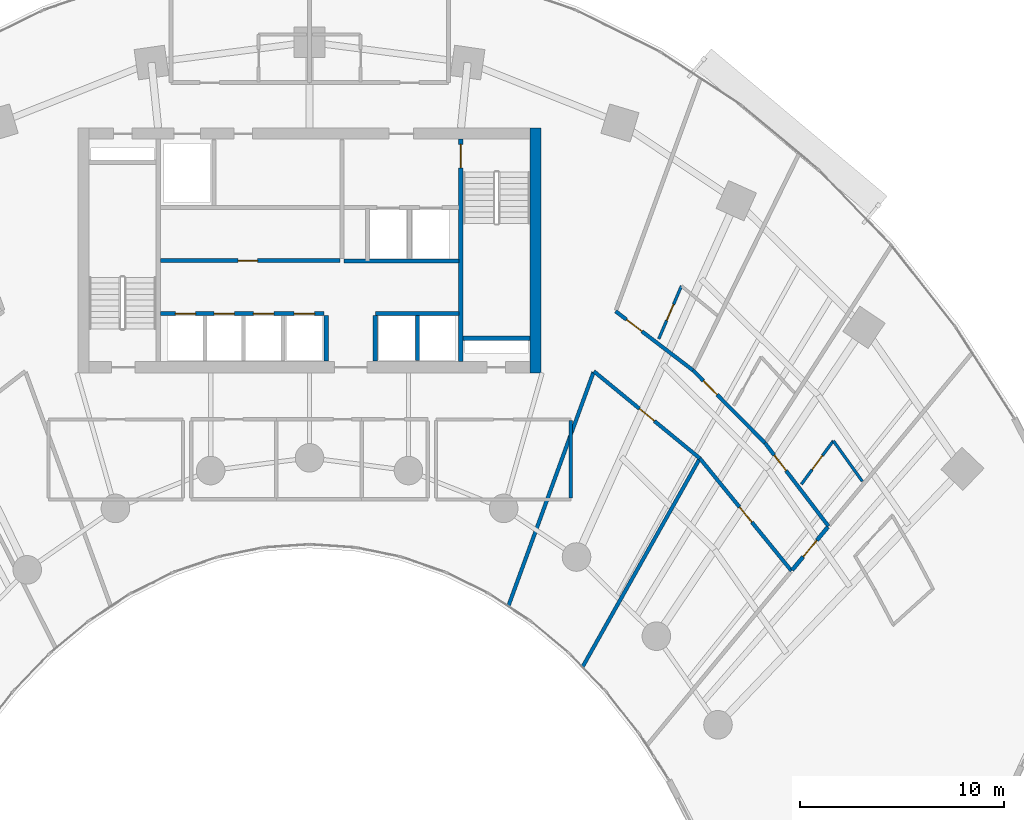
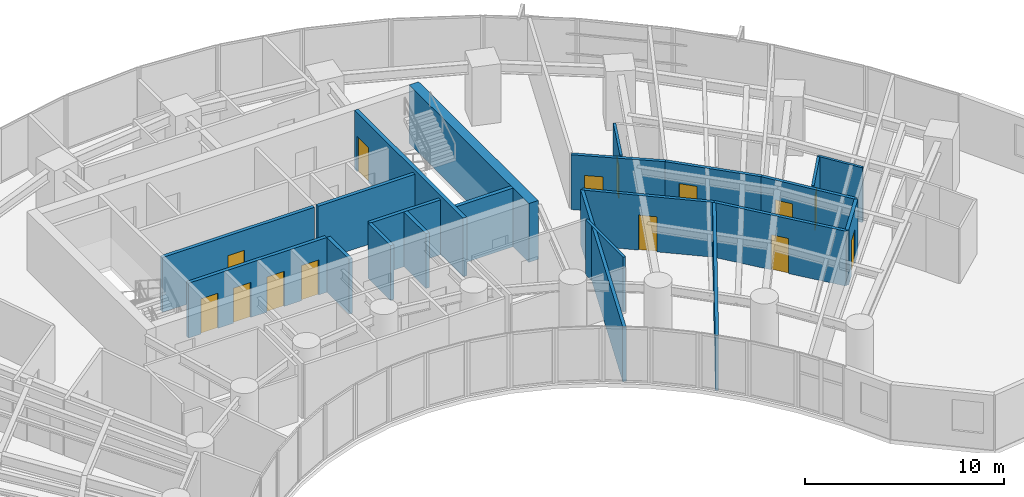
# One storey, part 12 of 17: 22 walls, 14 doors, 14 openings.
"""IFC4 building model written with IfcOpenShell, lengths in metres."""

from ifc_helpers import new_model, si_unit, direction, frame, frame_2d, origin, place, context, subcontext, project, spatial, rectangle, extrude, source, transform, mapped, material, layer, layer_set, type_object, type_shapes, element, fill, save


model = new_model("IFC4")

# Units and contexts
model_context = context("Model", 3, precision=1e-05, world=origin(), true_north=direction((0.0, 1.0)))
body_context = subcontext(model_context, "Body", "Model", "MODEL_VIEW")
ifc_project = project(units=[si_unit("LENGTHUNIT", "METRE"), si_unit("AREAUNIT", "SQUARE_METRE"), si_unit("VOLUMEUNIT", "CUBIC_METRE"), si_unit("PLANEANGLEUNIT", "RADIAN"), si_unit("MASSUNIT", "GRAM", prefix="KILO")], contexts=[model_context])

# Site, building, storey
site_placement = place(None, origin())
site = spatial("IfcSite", under=ifc_project, at=site_placement, CompositionType="ELEMENT")
building_placement = place(site_placement, origin())
building = spatial("IfcBuilding", under=site, at=building_placement, Name="Breltana Convention Tower", CompositionType="ELEMENT")
storey_placement = place(building_placement, frame((0.0, 0.0, 64.199951171875)))
storey = spatial("IfcBuildingStorey", under=building, at=storey_placement, Name="L14", CompositionType="ELEMENT", Elevation=64.199951171875)

# Walls
ifc_material_1 = material(Name="Concrete C60/75", Category="concrete")
ifc_layer_1 = layer(ifc_material_1, 0.550048828125, Name="Concrete C60/75")
ifc_layer_set_1 = layer_set([ifc_layer_1], Name="Concrete C60/75")
wall_type_1 = type_object("IfcWallType", Name="SW-CORE-550", PredefinedType="SHEAR", material=ifc_layer_set_1)
shared_shape_1 = source(origin(), body_context, "Body", "SweptSolid", [
    extrude(rectangle(XDim=12.0, YDim=0.550048828125, at=frame_2d((6.0, 0.0))), origin(), (0.0, 0.0, 1.0), 3.60009765625),
])
wall_1_placement = place(storey_placement, frame((59.074951171875, 60.199951171875, 0.0), z_axis=(0.0, 0.0, 1.0), x_axis=(0.0, 1.0, 0.0)))
element("IfcWall", 1, at=wall_1_placement, inside=storey, type_object=wall_type_1, Name="L14 East Core Shear Wall", PredefinedType="SHEAR", context=body_context, shape_type="MappedRepresentation", body=[
    mapped(shared_shape_1, transform((0.0, 0.0, 0.0), scale=1.0)),
])
ifc_material_2 = material(Name="Concrete C50/60", Category="concrete")
ifc_layer_2 = layer(ifc_material_2, 0.39990234375, Name="Concrete C50/60")
ifc_layer_set_2 = layer_set([ifc_layer_2], Name="Concrete C50/60")
wall_type_2 = type_object("IfcWallType", Name="SW-CORE-400", PredefinedType="SHEAR", material=ifc_layer_set_2)
shared_shape_2 = source(origin(), body_context, "Body", "SweptSolid", [
    extrude(rectangle(XDim=3.27001953125, YDim=0.219970703125, at=frame_2d((1.635009765625, 0.0))), origin(), (0.0, 0.0, 1.0), 3.60009765625),
])
wall_2_placement = place(storey_placement, frame((55.530029296875, 61.889892578125, 0.0), z_axis=(0.0, 0.0, 1.0), x_axis=(1.0, 0.0, 0.0)))
element("IfcWall", 2, at=wall_2_placement, inside=storey, type_object=wall_type_2, Name="L14 ST-2 Stairwell South Bearing Wall", PredefinedType="SHEAR", context=body_context, shape_type="MappedRepresentation", body=[
    mapped(shared_shape_2, transform((0.0, 0.0, 0.0), scale=1.0)),
])

# Wall, opening, door
shared_shape_3 = source(origin(), body_context, "Body", "SweptSolid", [
    extrude(rectangle(XDim=10.89990234375, YDim=0.219970703125, at=frame_2d((5.449951171875, 0.0))), origin(), (0.0, 0.0, 1.0), 3.60009765625),
])
wall_3_placement = place(storey_placement, frame((55.419921875, 60.75, 0.0), z_axis=(0.0, 0.0, 1.0), x_axis=(0.0, 1.0, 0.0)))
wall_3 = element("IfcWall", 3, at=wall_3_placement, inside=storey, type_object=wall_type_2, Name="L14 Core East Stair Spine Wall", PredefinedType="SHEAR", context=body_context, shape_type="MappedRepresentation", body=[
    mapped(shared_shape_3, transform((0.0, 0.0, 0.0), scale=1.0)),
])
opening_1_placement = place(wall_3_placement, frame((9.4951171875, 0.0, 0.0)))
opening_1 = element("IfcOpeningElement", 4, at=opening_1_placement, cuts=wall_3, Name="Opening D-11", PredefinedType="OPENING", context=body_context, shape_type="SweptSolid", body=[
    extrude(rectangle(XDim=1.14990234375, YDim=2.14990234375, at=frame_2d((0.574951171875, 1.074951171875))), frame((0.0, 0.1201171875, 0.0), z_axis=(0.0, -1.0, 0.0), x_axis=(1.0, 0.0, 0.0)), (0.0, 0.0, 1.0), 0.239990234375),
])
ifc_material_3 = material(Name="Steel Stair Exit Door", Category="steel")
door_type_1 = type_object("IfcDoorType", Name="DR-FD120-1150", OperationType="NOTDEFINED", PredefinedType="DOOR", material=ifc_material_3)
shared_shape_4 = source(origin(), body_context, "Body", "SweptSolid", [
    extrude(rectangle(XDim=1.14990234375, YDim=2.14990234375, at=frame_2d((0.574951171875, 1.074951171875))), frame((0.0, 0.02490234375, 0.0), z_axis=(0.0, -1.0, 0.0), x_axis=(1.0, 0.0, 0.0)), (0.0, 0.0, 1.0), 0.050048828125),
])
type_shapes(door_type_1, [shared_shape_4])
door_1_placement = place(opening_1_placement, origin())
door_1 = element("IfcDoor", 5, at=door_1_placement, inside=storey, type_object=door_type_1, Name="L14 interior door D-L14-ST2", OperationType="SINGLE_SWING_LEFT", OverallHeight=2.14990234375, OverallWidth=1.14990234375, PredefinedType="DOOR", context=body_context, shape_type="MappedRepresentation", body=[
    mapped(shared_shape_4, transform((0.0, 0.0, 0.0), scale=1.0)),
])
fill(opening_1, door_1)

# Walls
ifc_material_4 = material(Name="Autoclaved Aerated Concrete Block", Category="concrete")
ifc_layer_3 = layer(ifc_material_4, 0.199951171875, Name="Autoclaved Aerated Concrete Block")
ifc_layer_set_3 = layer_set([ifc_layer_3], Name="Autoclaved Aerated Concrete Block")
wall_type_3 = type_object("IfcWallType", Name="WL-SHAFT-200", PredefinedType="SOLIDWALL", material=ifc_layer_set_3)
shared_shape_5 = source(origin(), body_context, "Body", "SweptSolid", [
    extrude(rectangle(XDim=2.239990234375, YDim=0.199951171875, at=frame_2d((1.1201171875, 0.0))), origin(), (0.0, 0.0, 1.0), 3.360107421875),
])
for number, where, z_axis, x_axis, name in (
    (6, (48.820068359375, 60.780029296875, 0.0), (0.0, 0.0, 1.0), (0.0, 1.0, 0.0), "L14 interior partition W-L14-PORT-W"),
    (7, (51.219970703125, 60.780029296875, 0.0), (0.0, 0.0, 1.0), (0.0, 1.0, 0.0), "L14 interior partition W-L14-PORT-E"),
):
    element("IfcWall", number, at=place(storey_placement, frame(where, z_axis=z_axis, x_axis=x_axis)), inside=storey, type_object=wall_type_3, Name=name, PredefinedType="SOLIDWALL", context=body_context, shape_type="MappedRepresentation", body=[
        mapped(shared_shape_5, transform((0.0, 0.0, 0.0), scale=1.0)),
    ])
shared_shape_6 = source(origin(), body_context, "Body", "SweptSolid", [
    extrude(rectangle(XDim=5.6201171875, YDim=0.199951171875, at=frame_2d((2.81005859375, 0.0))), origin(), (0.0, 0.0, 1.0), 3.360107421875),
])
wall_4_placement = place(storey_placement, frame((49.699951171875, 65.679931640625, 0.0), z_axis=(0.0, 0.0, 1.0), x_axis=(1.0, 0.0, 0.0)))
element("IfcWall", 8, at=wall_4_placement, inside=storey, type_object=wall_type_3, Name="L14 interior partition W-L14-FL-S", PredefinedType="SOLIDWALL", context=body_context, shape_type="MappedRepresentation", body=[
    mapped(shared_shape_6, transform((0.0, 0.0, 0.0), scale=1.0)),
])

# Wall, opening, door
shared_shape_7 = source(origin(), body_context, "Body", "SweptSolid", [
    extrude(rectangle(XDim=8.800048828125, YDim=0.199951171875, at=frame_2d((4.39990234375, 0.0))), origin(), (0.0, 0.0, 1.0), 3.360107421875),
])
wall_5_placement = place(storey_placement, frame((40.699951171875, 65.699951171875, 0.0), z_axis=(0.0, 0.0, 1.0), x_axis=(1.0, 0.0, 0.0)))
wall_5 = element("IfcWall", 9, at=wall_5_placement, inside=storey, type_object=wall_type_3, Name="L14 interior partition W-L14-SH-M-FRONT", PredefinedType="SOLIDWALL", context=body_context, shape_type="MappedRepresentation", body=[
    mapped(shared_shape_7, transform((0.0, 0.0, 0.0), scale=1.0)),
])
opening_2_placement = place(wall_5_placement, frame((3.800048828125, 0.0, 0.0)))
opening_2 = element("IfcOpeningElement", 10, at=opening_2_placement, cuts=wall_5, Name="Opening D-14", PredefinedType="OPENING", context=body_context, shape_type="SweptSolid", body=[
    extrude(rectangle(XDim=0.949951171875, YDim=2.14990234375, at=frame_2d((0.47509765625, 1.074951171875))), frame((0.0, 0.10986328125, 0.0), z_axis=(0.0, -1.0, 0.0), x_axis=(1.0, 0.0, 0.0)), (0.0, 0.0, 1.0), 0.219970703125),
])
ifc_material_5 = material(Name="Timber Solid-Core Fire Door", Category="wood")
door_type_2 = type_object("IfcDoorType", Name="DR-FD60-950", OperationType="NOTDEFINED", PredefinedType="DOOR", material=ifc_material_5)
shared_shape_8 = source(origin(), body_context, "Body", "SweptSolid", [
    extrude(rectangle(XDim=0.949951171875, YDim=2.14990234375, at=frame_2d((0.47509765625, 1.074951171875))), frame((0.0, 0.02490234375, 0.0), z_axis=(0.0, -1.0, 0.0), x_axis=(1.0, 0.0, 0.0)), (0.0, 0.0, 1.0), 0.050048828125),
])
type_shapes(door_type_2, [shared_shape_8])
door_2_placement = place(opening_2_placement, origin())
door_2 = element("IfcDoor", 11, at=door_2_placement, inside=storey, type_object=door_type_2, Name="L14 interior door D-L14-LV7-B2A", OperationType="SINGLE_SWING_LEFT", OverallHeight=2.14990234375, OverallWidth=0.949951171875, PredefinedType="DOOR", context=body_context, shape_type="MappedRepresentation", body=[
    mapped(shared_shape_8, transform((0.0, 0.0, 0.0), scale=1.0)),
])
fill(opening_2, door_2)

# Wall, openings, doors
shared_shape_9 = source(origin(), body_context, "Body", "SweptSolid", [
    extrude(rectangle(XDim=8.02001953125, YDim=0.199951171875, at=frame_2d((4.010009765625, 0.0))), origin(), (0.0, 0.0, 1.0), 3.360107421875),
])
wall_6_placement = place(storey_placement, frame((40.699951171875, 63.10009765625, 0.0), z_axis=(0.0, 0.0, 1.0), x_axis=(1.0, 0.0, 0.0)))
wall_6 = element("IfcWall", 12, at=wall_6_placement, inside=storey, type_object=wall_type_3, Name="L14 interior partition W-L14-SH-S-FRONT", PredefinedType="SOLIDWALL", context=body_context, shape_type="MappedRepresentation", body=[
    mapped(shared_shape_9, transform((0.0, 0.0, 0.0), scale=1.0)),
])
opening_3_placement = place(wall_6_placement, frame((0.719970703125, 0.0, 0.0)))
opening_3 = element("IfcOpeningElement", 13, at=opening_3_placement, cuts=wall_6, Name="Opening LD-04", PredefinedType="OPENING", context=body_context, shape_type="SweptSolid", body=[
    extrude(rectangle(XDim=1.0, YDim=2.14990234375, at=frame_2d((0.5, 1.074951171875))), frame((0.0, 0.10986328125, 0.0), z_axis=(0.0, -1.0, 0.0), x_axis=(1.0, 0.0, 0.0)), (0.0, 0.0, 1.0), 0.219970703125),
])
opening_4_placement = place(wall_6_placement, frame((2.6201171875, 0.0, 0.0)))
opening_4 = element("IfcOpeningElement", 14, at=opening_4_placement, cuts=wall_6, Name="Opening LD-04", PredefinedType="OPENING", context=body_context, shape_type="SweptSolid", body=[
    extrude(rectangle(XDim=1.0, YDim=2.14990234375, at=frame_2d((0.5, 1.074951171875))), frame((0.0, 0.10986328125, 0.0), z_axis=(0.0, -1.0, 0.0), x_axis=(1.0, 0.0, 0.0)), (0.0, 0.0, 1.0), 0.219970703125),
])
opening_5_placement = place(wall_6_placement, frame((4.550048828125, 0.0, 0.0)))
opening_5 = element("IfcOpeningElement", 15, at=opening_5_placement, cuts=wall_6, Name="Opening LD-04", PredefinedType="OPENING", context=body_context, shape_type="SweptSolid", body=[
    extrude(rectangle(XDim=1.0, YDim=2.14990234375, at=frame_2d((0.5, 1.074951171875))), frame((0.0, 0.10986328125, 0.0), z_axis=(0.0, -1.0, 0.0), x_axis=(1.0, 0.0, 0.0)), (0.0, 0.0, 1.0), 0.219970703125),
])
opening_6_placement = place(wall_6_placement, frame((6.550048828125, 0.0, 0.0)))
opening_6 = element("IfcOpeningElement", 16, at=opening_6_placement, cuts=wall_6, Name="Opening LD-04", PredefinedType="OPENING", context=body_context, shape_type="SweptSolid", body=[
    extrude(rectangle(XDim=1.0, YDim=2.14990234375, at=frame_2d((0.5, 1.074951171875))), frame((0.0, 0.10986328125, 0.0), z_axis=(0.0, -1.0, 0.0), x_axis=(1.0, 0.0, 0.0)), (0.0, 0.0, 1.0), 0.219970703125),
])
ifc_material_6 = material(Name="Stainless Steel Brushed", Category="steel")
door_type_3 = type_object("IfcDoorType", Name="DR-LD-PAX-1000", OperationType="DOUBLE_DOOR_SLIDING", PredefinedType="DOOR", material=ifc_material_6)
shared_shape_10 = source(origin(), body_context, "Body", "SweptSolid", [
    extrude(rectangle(XDim=1.0, YDim=2.14990234375, at=frame_2d((0.5, 1.074951171875))), frame((0.0, 0.02490234375, 0.0), z_axis=(0.0, -1.0, 0.0), x_axis=(1.0, 0.0, 0.0)), (0.0, 0.0, 1.0), 0.050048828125),
])
type_shapes(door_type_3, [shared_shape_10])
door_3_placement = place(opening_3_placement, origin())
door_3 = element("IfcDoor", 17, at=door_3_placement, inside=storey, type_object=door_type_3, Name="L14 Lift Landing Door D-L14-LD-S1", OperationType="DOUBLE_DOOR_SLIDING", OverallHeight=2.14990234375, OverallWidth=1.0, PredefinedType="DOOR", context=body_context, shape_type="MappedRepresentation", body=[
    mapped(shared_shape_10, transform((0.0, 0.0, 0.0), scale=1.0)),
])
fill(opening_3, door_3)
door_4_placement = place(opening_4_placement, origin())
door_4 = element("IfcDoor", 18, at=door_4_placement, inside=storey, type_object=door_type_3, Name="L14 Lift Landing Door D-L14-LD-S2", OperationType="DOUBLE_DOOR_SLIDING", OverallHeight=2.14990234375, OverallWidth=1.0, PredefinedType="DOOR", context=body_context, shape_type="MappedRepresentation", body=[
    mapped(shared_shape_10, transform((0.0, 0.0, 0.0), scale=1.0)),
])
fill(opening_4, door_4)
door_5_placement = place(opening_5_placement, origin())
door_5 = element("IfcDoor", 19, at=door_5_placement, inside=storey, type_object=door_type_3, Name="L14 Lift Landing Door D-L14-LD-S3", OperationType="DOUBLE_DOOR_SLIDING", OverallHeight=2.14990234375, OverallWidth=1.0, PredefinedType="DOOR", context=body_context, shape_type="MappedRepresentation", body=[
    mapped(shared_shape_10, transform((0.0, 0.0, 0.0), scale=1.0)),
])
fill(opening_5, door_5)
door_6_placement = place(opening_6_placement, origin())
door_6 = element("IfcDoor", 20, at=door_6_placement, inside=storey, type_object=door_type_3, Name="L14 Lift Landing Door D-L14-LD-S4", OperationType="DOUBLE_DOOR_SLIDING", OverallHeight=2.14990234375, OverallWidth=1.0, PredefinedType="DOOR", context=body_context, shape_type="MappedRepresentation", body=[
    mapped(shared_shape_10, transform((0.0, 0.0, 0.0), scale=1.0)),
])
fill(opening_6, door_6)

# Walls
shared_shape_11 = source(origin(), body_context, "Body", "SweptSolid", [
    extrude(rectangle(XDim=4.10009765625, YDim=0.199951171875, at=frame_2d((2.050048828125, 0.0))), origin(), (0.0, 0.0, 1.0), 3.360107421875),
])
wall_7_placement = place(storey_placement, frame((51.219970703125, 63.10009765625, 0.0), z_axis=(0.0, 0.0, 1.0), x_axis=(1.0, 0.0, 0.0)))
element("IfcWall", 21, at=wall_7_placement, inside=storey, type_object=wall_type_3, Name="L14 interior partition W-L14-SH-X-FRONT", PredefinedType="SOLIDWALL", context=body_context, shape_type="MappedRepresentation", body=[
    mapped(shared_shape_11, transform((0.0, 0.0, 0.0), scale=1.0)),
])
shared_shape_12 = source(origin(), body_context, "Body", "SweptSolid", [
    extrude(rectangle(XDim=2.199951171875, YDim=0.199951171875, at=frame_2d((1.10009765625, 0.0))), origin(), (0.0, 0.0, 1.0), 3.360107421875),
])
wall_8_placement = place(storey_placement, frame((53.280029296875, 60.800048828125, 0.0), z_axis=(0.0, 0.0, 1.0), x_axis=(0.0, 1.0, 0.0)))
element("IfcWall", 22, at=wall_8_placement, inside=storey, type_object=wall_type_3, Name="L14 interior partition W-L14-SH-X-DIV", PredefinedType="SOLIDWALL", context=body_context, shape_type="MappedRepresentation", body=[
    mapped(shared_shape_12, transform((0.0, 0.0, 0.0), scale=1.0)),
])
ifc_material_7 = material(Name="Gypsum Acoustic Drywall Partition")
ifc_layer_4 = layer(ifc_material_7, 0.14990234375, Name="Gypsum Acoustic Drywall Partition")
ifc_layer_set_4 = layer_set([ifc_layer_4], Name="Gypsum Acoustic Drywall Partition")
wall_type_4 = type_object("IfcWallType", Name="WL-PART-150", PredefinedType="PARTITIONING", material=ifc_layer_set_4)
shared_shape_13 = source(origin(), body_context, "Body", "SweptSolid", [
    extrude(rectangle(XDim=3.78515625, YDim=0.14990234375, at=frame_2d((1.892578125, 0.0))), origin(), (0.0, 0.0, 1.0), 3.360107421875),
])
wall_9_placement = place(storey_placement, frame((60.800048828125, 54.0673828125, 0.0), z_axis=(0.0, 0.0, 1.0), x_axis=(0.0, 1.0, 0.0)))
element("IfcWall", 23, at=wall_9_placement, inside=storey, type_object=wall_type_4, Name="L14 interior partition W-L14-HMT-E", PredefinedType="PARTITIONING", context=body_context, shape_type="MappedRepresentation", body=[
    mapped(shared_shape_13, transform((0.0, 0.0, 0.0), scale=1.0)),
])

# Wall, opening, door
ifc_material_8 = material(Name="Gypsum Acoustic Hotel Wall")
ifc_layer_5 = layer(ifc_material_8, 0.195068359375, Name="Gypsum Acoustic Hotel Wall")
ifc_layer_set_5 = layer_set([ifc_layer_5], Name="Gypsum Acoustic Hotel Wall")
wall_type_5 = type_object("IfcWallType", Name="WL-HOTEL-200", PredefinedType="PARTITIONING", material=ifc_layer_set_5)
shared_shape_14 = source(origin(), body_context, "Body", "SweptSolid", [
    extrude(rectangle(XDim=2.748291015625, YDim=0.195068359375, at=frame_2d((1.3740234375, 0.0))), origin(), (0.0, 0.0, 1.0), 3.360107421875),
])
wall_10_placement = place(storey_placement, frame((71.64697265625, 50.531005859375, 0.0), z_axis=(0.0, 0.0, 1.0), x_axis=(0.638111168284, 0.769944242729, 0.0)))
wall_10 = element("IfcWall", 24, at=wall_10_placement, inside=storey, type_object=wall_type_5, Name="L14 interior partition W-L14-CS-E-END", PredefinedType="PARTITIONING", context=body_context, shape_type="MappedRepresentation", body=[
    mapped(shared_shape_14, transform((0.0, 0.0, 0.0), scale=1.0)),
])
opening_7_placement = place(wall_10_placement, frame((0.84912109375, 0.0, 0.0)))
opening_7 = element("IfcOpeningElement", 25, at=opening_7_placement, cuts=wall_10, Name="Opening D-13", PredefinedType="OPENING", context=body_context, shape_type="SweptSolid", body=[
    extrude(rectangle(XDim=1.050048828125, YDim=2.14990234375, at=frame_2d((0.52490234375, 1.074951171875))), frame((0.0, 0.107421875, 0.0), z_axis=(0.0, -1.0, 0.0), x_axis=(1.0, 0.0, 0.0)), (0.0, 0.0, 1.0), 0.215087890625),
])
door_type_4 = type_object("IfcDoorType", Name="DR-FD60-1050", OperationType="NOTDEFINED", PredefinedType="DOOR", material=ifc_material_5)
shared_shape_15 = source(origin(), body_context, "Body", "SweptSolid", [
    extrude(rectangle(XDim=1.050048828125, YDim=2.14990234375, at=frame_2d((0.52490234375, 1.074951171875))), frame((0.0, 0.02490234375, 0.0), z_axis=(0.0, -1.0, 0.0), x_axis=(1.0, 0.0, 0.0)), (0.0, 0.0, 1.0), 0.050048828125),
])
type_shapes(door_type_4, [shared_shape_15])
door_7_placement = place(opening_7_placement, origin())
door_7 = element("IfcDoor", 26, at=door_7_placement, inside=storey, type_object=door_type_4, Name="L14 interior door D-L14-CS-E", OperationType="SINGLE_SWING_RIGHT", OverallHeight=2.14990234375, OverallWidth=1.050048828125, PredefinedType="DOOR", context=body_context, shape_type="MappedRepresentation", body=[
    mapped(shared_shape_15, transform((0.0, 0.0, 0.0), scale=1.0)),
])
fill(opening_7, door_7)

# Wall
ifc_material_9 = material(Name="Moisture-Resistant Gypsum Chase Wall")
ifc_layer_6 = layer(ifc_material_9, 0.179931640625, Name="Moisture-Resistant Gypsum Chase Wall")
ifc_layer_set_6 = layer_set([ifc_layer_6], Name="Moisture-Resistant Gypsum Chase Wall")
wall_type_6 = type_object("IfcWallType", Name="WL-PLUMB-180", PredefinedType="PLUMBINGWALL", material=ifc_layer_set_6)
shared_shape_16 = source(origin(), body_context, "Body", "SweptSolid", [
    extrude(rectangle(XDim=12.1962890625, YDim=0.179931640625, at=frame_2d((6.09814453125, 0.0))), origin(), (0.0, 0.0, 1.0), 3.360107421875),
])
wall_11_placement = place(storey_placement, frame((57.742431640625, 48.766357421875, 0.0), z_axis=(0.0, 0.0, 1.0), x_axis=(0.342022711534, 0.939691686031, 0.0)))
element("IfcWall", 27, at=wall_11_placement, inside=storey, type_object=wall_type_6, Name="L14 interior partition W-L14-HE04-RA", PredefinedType="PLUMBINGWALL", context=body_context, shape_type="MappedRepresentation", body=[
    mapped(shared_shape_16, transform((0.0, 0.0, 0.0), scale=1.0)),
])

# Wall, opening, door
shared_shape_17 = source(origin(), body_context, "Body", "SweptSolid", [
    extrude(rectangle(XDim=4.76220703125, YDim=0.179931640625, at=frame_2d((2.381103515625, 0.0))), origin(), (0.0, 0.0, 1.0), 3.360107421875),
])
wall_12_placement = place(storey_placement, frame((63.001220703125, 63.214111328125, 0.0), z_axis=(0.0, 0.0, 1.0), x_axis=(0.795070295872, -0.60651729128, 0.0)))
wall_12 = element("IfcWall", 28, at=wall_12_placement, inside=storey, type_object=wall_type_6, Name="L14 interior partition W-L14-HE01-COR", PredefinedType="PLUMBINGWALL", context=body_context, shape_type="MappedRepresentation", body=[
    mapped(shared_shape_17, transform((0.0, 0.0, 0.0), scale=1.0)),
])
opening_8_placement = place(wall_12_placement, frame((0.66796875, 0.0, 0.0)))
opening_8 = element("IfcOpeningElement", 29, at=opening_8_placement, cuts=wall_12, Name="Opening D-14", PredefinedType="OPENING", context=body_context, shape_type="SweptSolid", body=[
    extrude(rectangle(XDim=0.949951171875, YDim=2.14990234375, at=frame_2d((0.47509765625, 1.074951171875))), frame((0.0, 0.10009765625, 0.0), z_axis=(0.0, -1.0, 0.0), x_axis=(1.0, 0.0, 0.0)), (0.0, 0.0, 1.0), 0.199951171875),
])
door_8_placement = place(opening_8_placement, origin())
door_8 = element("IfcDoor", 30, at=door_8_placement, inside=storey, type_object=door_type_2, Name="L14 interior door D-L14-HE01", OperationType="SINGLE_SWING_RIGHT", OverallHeight=2.14990234375, OverallWidth=0.949951171875, PredefinedType="DOOR", context=body_context, shape_type="MappedRepresentation", body=[
    mapped(shared_shape_8, transform((0.0, 0.0, 0.0), scale=1.0)),
])
fill(opening_8, door_8)

ifc_material_10 = material(Name="Moisture-Resistant En-Suite Partition")
ifc_layer_7 = layer(ifc_material_10, 0.139892578125, Name="Moisture-Resistant En-Suite Partition")
ifc_layer_set_7 = layer_set([ifc_layer_7], Name="Moisture-Resistant En-Suite Partition")
wall_type_7 = type_object("IfcWallType", Name="WL-WET-150", PredefinedType="PARTITIONING", material=ifc_layer_set_7)
shared_shape_18 = source(origin(), body_context, "Body", "SweptSolid", [
    extrude(rectangle(XDim=2.81884765625, YDim=0.139892578125, at=frame_2d((1.409423828125, 0.0))), origin(), (0.0, 0.0, 1.0), 3.360107421875),
])
wall_13_placement = place(storey_placement, frame((65.1123046875, 61.8642578125, 0.0), z_axis=(0.0, 0.0, 1.0), x_axis=(0.394420979357, 0.918929861874, 0.0)))
wall_13 = element("IfcWall", 31, at=wall_13_placement, inside=storey, type_object=wall_type_7, Name="L14 interior partition W-L14-HE01E-SD", PredefinedType="PARTITIONING", context=body_context, shape_type="MappedRepresentation", body=[
    mapped(shared_shape_18, transform((0.0, 0.0, 0.0), scale=1.0)),
])
opening_9_placement = place(wall_13_placement, frame((0.984375, 0.0, 0.0)))
opening_9 = element("IfcOpeningElement", 32, at=opening_9_placement, cuts=wall_13, Name="Opening D-21", PredefinedType="OPENING", context=body_context, shape_type="SweptSolid", body=[
    extrude(rectangle(XDim=0.85009765625, YDim=2.050048828125, at=frame_2d((0.425048828125, 1.02490234375))), frame((0.0, 0.080078125, 0.0), z_axis=(0.0, -1.0, 0.0), x_axis=(1.0, 0.0, 0.0)), (0.0, 0.0, 1.0), 0.159912109375),
])
ifc_material_11 = material(Name="Timber Moisture-Resistant En-Suite Door", Category="wood")
door_type_5 = type_object("IfcDoorType", Name="DR-WET-850", OperationType="NOTDEFINED", PredefinedType="DOOR", material=ifc_material_11)
shared_shape_19 = source(origin(), body_context, "Body", "SweptSolid", [
    extrude(rectangle(XDim=0.85009765625, YDim=2.050048828125, at=frame_2d((0.425048828125, 1.02490234375))), frame((0.0, 0.02490234375, 0.0), z_axis=(0.0, -1.0, 0.0), x_axis=(1.0, 0.0, 0.0)), (0.0, 0.0, 1.0), 0.050048828125),
])
type_shapes(door_type_5, [shared_shape_19])
door_9_placement = place(opening_9_placement, origin())
door_9 = element("IfcDoor", 33, at=door_9_placement, inside=storey, type_object=door_type_5, Name="L14 interior door D-L14-HE01E", OperationType="SINGLE_SWING_LEFT", OverallHeight=2.050048828125, OverallWidth=0.85009765625, PredefinedType="DOOR", context=body_context, shape_type="MappedRepresentation", body=[
    mapped(shared_shape_19, transform((0.0, 0.0, 0.0), scale=1.0)),
])
fill(opening_9, door_9)

shared_shape_20 = source(origin(), body_context, "Body", "SweptSolid", [
    extrude(rectangle(XDim=5.012451171875, YDim=0.179931640625, at=frame_2d((2.50634765625, 0.0))), origin(), (0.0, 0.0, 1.0), 3.360107421875),
])
wall_14_placement = place(storey_placement, frame((66.78759765625, 60.32568359375, 0.0), z_axis=(0.0, 0.0, 1.0), x_axis=(0.703664626435, -0.710532260707, 0.0)))
wall_14 = element("IfcWall", 34, at=wall_14_placement, inside=storey, type_object=wall_type_6, Name="L14 interior partition W-L14-HE02-COR", PredefinedType="PLUMBINGWALL", context=body_context, shape_type="MappedRepresentation", body=[
    mapped(shared_shape_20, transform((0.0, 0.0, 0.0), scale=1.0)),
])
opening_10_placement = place(wall_14_placement, frame((0.72802734375, 0.0, 0.0)))
opening_10 = element("IfcOpeningElement", 35, at=opening_10_placement, cuts=wall_14, Name="Opening D-14", PredefinedType="OPENING", context=body_context, shape_type="SweptSolid", body=[
    extrude(rectangle(XDim=0.949951171875, YDim=2.14990234375, at=frame_2d((0.47509765625, 1.074951171875))), frame((0.0, 0.10009765625, 0.0), z_axis=(0.0, -1.0, 0.0), x_axis=(1.0, 0.0, 0.0)), (0.0, 0.0, 1.0), 0.199951171875),
])
door_10_placement = place(opening_10_placement, origin())
door_10 = element("IfcDoor", 36, at=door_10_placement, inside=storey, type_object=door_type_2, Name="L14 interior door D-L14-HE02", OperationType="SINGLE_SWING_RIGHT", OverallHeight=2.14990234375, OverallWidth=0.949951171875, PredefinedType="DOOR", context=body_context, shape_type="MappedRepresentation", body=[
    mapped(shared_shape_8, transform((0.0, 0.0, 0.0), scale=1.0)),
])
fill(opening_10, door_10)

shared_shape_21 = source(origin(), body_context, "Body", "SweptSolid", [
    extrude(rectangle(XDim=5.134765625, YDim=0.179931640625, at=frame_2d((2.5673828125, 0.0))), origin(), (0.0, 0.0, 1.0), 3.360107421875),
])
wall_15_placement = place(storey_placement, frame((70.314697265625, 56.76416015625, 0.0), z_axis=(0.0, 0.0, 1.0), x_axis=(0.606802199649, -0.794852873494, 0.0)))
wall_15 = element("IfcWall", 37, at=wall_15_placement, inside=storey, type_object=wall_type_6, Name="L14 interior partition W-L14-HE03-COR", PredefinedType="PLUMBINGWALL", context=body_context, shape_type="MappedRepresentation", body=[
    mapped(shared_shape_21, transform((0.0, 0.0, 0.0), scale=1.0)),
])
opening_11_placement = place(wall_15_placement, frame((0.75732421875, 0.0, 0.0)))
opening_11 = element("IfcOpeningElement", 38, at=opening_11_placement, cuts=wall_15, Name="Opening D-14", PredefinedType="OPENING", context=body_context, shape_type="SweptSolid", body=[
    extrude(rectangle(XDim=0.949951171875, YDim=2.14990234375, at=frame_2d((0.47509765625, 1.074951171875))), frame((0.0, 0.10009765625, 0.0), z_axis=(0.0, -1.0, 0.0), x_axis=(1.0, 0.0, 0.0)), (0.0, 0.0, 1.0), 0.199951171875),
])
door_11_placement = place(opening_11_placement, origin())
door_11 = element("IfcDoor", 39, at=door_11_placement, inside=storey, type_object=door_type_2, Name="L14 interior door D-L14-HE03", OperationType="SINGLE_SWING_RIGHT", OverallHeight=2.14990234375, OverallWidth=0.949951171875, PredefinedType="DOOR", context=body_context, shape_type="MappedRepresentation", body=[
    mapped(shared_shape_8, transform((0.0, 0.0, 0.0), scale=1.0)),
])
fill(opening_11, door_11)

# Wall
shared_shape_22 = source(origin(), body_context, "Body", "SweptSolid", [
    extrude(rectangle(XDim=2.436767578125, YDim=0.139892578125, at=frame_2d((1.21826171875, 0.0))), origin(), (0.0, 0.0, 1.0), 3.360107421875),
])
wall_16_placement = place(storey_placement, frame((73.667236328125, 56.8681640625, 0.0), z_axis=(0.0, 0.0, 1.0), x_axis=(0.581797219134, -0.813333877204, 0.0)))
element("IfcWall", 40, at=wall_16_placement, inside=storey, type_object=wall_type_7, Name="L14 interior partition W-L14-HE03E-BK", PredefinedType="PARTITIONING", context=body_context, shape_type="MappedRepresentation", body=[
    mapped(shared_shape_22, transform((0.0, 0.0, 0.0), scale=1.0)),
])

# Wall, opening, door
shared_shape_23 = source(origin(), body_context, "Body", "SweptSolid", [
    extrude(rectangle(XDim=2.6416015625, YDim=0.139892578125, at=frame_2d((1.32080078125, 0.0))), origin(), (0.0, 0.0, 1.0), 3.360107421875),
])
wall_17_placement = place(storey_placement, frame((72.101318359375, 54.74072265625, 0.0), z_axis=(0.0, 0.0, 1.0), x_axis=(0.592789122423, 0.805357719487, 0.0)))
wall_17 = element("IfcWall", 41, at=wall_17_placement, inside=storey, type_object=wall_type_7, Name="L14 interior partition W-L14-HE03E-SD", PredefinedType="PARTITIONING", context=body_context, shape_type="MappedRepresentation", body=[
    mapped(shared_shape_23, transform((0.0, 0.0, 0.0), scale=1.0)),
])
opening_12_placement = place(wall_17_placement, frame((0.895751953125, 0.0, 0.0)))
opening_12 = element("IfcOpeningElement", 42, at=opening_12_placement, cuts=wall_17, Name="Opening D-21", PredefinedType="OPENING", context=body_context, shape_type="SweptSolid", body=[
    extrude(rectangle(XDim=0.85009765625, YDim=2.050048828125, at=frame_2d((0.425048828125, 1.02490234375))), frame((0.0, 0.080078125, 0.0), z_axis=(0.0, -1.0, 0.0), x_axis=(1.0, 0.0, 0.0)), (0.0, 0.0, 1.0), 0.159912109375),
])
door_12_placement = place(opening_12_placement, origin())
door_12 = element("IfcDoor", 43, at=door_12_placement, inside=storey, type_object=door_type_5, Name="L14 interior door D-L14-HE03E", OperationType="SINGLE_SWING_LEFT", OverallHeight=2.050048828125, OverallWidth=0.85009765625, PredefinedType="DOOR", context=body_context, shape_type="MappedRepresentation", body=[
    mapped(shared_shape_19, transform((0.0, 0.0, 0.0), scale=1.0)),
])
fill(opening_12, door_12)

shared_shape_24 = source(origin(), body_context, "Body", "SweptSolid", [
    extrude(rectangle(XDim=6.72119140625, YDim=0.179931640625, at=frame_2d((3.360595703125, 0.0))), origin(), (0.0, 0.0, 1.0), 3.360107421875),
])
wall_18_placement = place(storey_placement, frame((61.931396484375, 60.275390625, 0.0), z_axis=(0.0, 0.0, 1.0), x_axis=(0.772828051199, -0.63461547671, 0.0)))
wall_18 = element("IfcWall", 44, at=wall_18_placement, inside=storey, type_object=wall_type_6, Name="L14 interior partition W-L14-HE04-COR", PredefinedType="PLUMBINGWALL", context=body_context, shape_type="MappedRepresentation", body=[
    mapped(shared_shape_24, transform((0.0, 0.0, 0.0), scale=1.0)),
])
opening_13_placement = place(wall_18_placement, frame((2.885498046875, 0.0, 0.0)))
opening_13 = element("IfcOpeningElement", 45, at=opening_13_placement, cuts=wall_18, Name="Opening D-14", PredefinedType="OPENING", context=body_context, shape_type="SweptSolid", body=[
    extrude(rectangle(XDim=0.949951171875, YDim=2.14990234375, at=frame_2d((0.47509765625, 1.074951171875))), frame((0.0, 0.10009765625, 0.0), z_axis=(0.0, -1.0, 0.0), x_axis=(1.0, 0.0, 0.0)), (0.0, 0.0, 1.0), 0.199951171875),
])
door_13_placement = place(opening_13_placement, origin())
door_13 = element("IfcDoor", 46, at=door_13_placement, inside=storey, type_object=door_type_2, Name="L14 interior door D-L14-HE04", OperationType="SINGLE_SWING_RIGHT", OverallHeight=2.14990234375, OverallWidth=0.949951171875, PredefinedType="DOOR", context=body_context, shape_type="MappedRepresentation", body=[
    mapped(shared_shape_8, transform((0.0, 0.0, 0.0), scale=1.0)),
])
fill(opening_13, door_13)

# Wall
shared_shape_25 = source(origin(), body_context, "Body", "SweptSolid", [
    extrude(rectangle(XDim=11.670166015625, YDim=0.179931640625, at=frame_2d((5.8349609375, 0.0))), origin(), (0.0, 0.0, 1.0), 3.360107421875),
])
wall_19_placement = place(storey_placement, frame((61.38134765625, 45.795166015625, 0.0), z_axis=(0.0, 0.0, 1.0), x_axis=(0.490156946222, 0.871634193954, 0.0)))
element("IfcWall", 47, at=wall_19_placement, inside=storey, type_object=wall_type_6, Name="L14 interior partition W-L14-HE04-RB", PredefinedType="PLUMBINGWALL", context=body_context, shape_type="MappedRepresentation", body=[
    mapped(shared_shape_25, transform((0.0, 0.0, 0.0), scale=1.0)),
])

# Wall, opening, door
shared_shape_26 = source(origin(), body_context, "Body", "SweptSolid", [
    extrude(rectangle(XDim=7.112548828125, YDim=0.179931640625, at=frame_2d((3.55615234375, 0.0))), origin(), (0.0, 0.0, 1.0), 3.360107421875),
])
wall_20_placement = place(storey_placement, frame((67.125732421875, 56.010009765625, 0.0), z_axis=(0.0, 0.0, 1.0), x_axis=(0.63149032532, -0.775383755974, 0.0)))
wall_20 = element("IfcWall", 48, at=wall_20_placement, inside=storey, type_object=wall_type_6, Name="L14 interior partition W-L14-HE05-COR", PredefinedType="PLUMBINGWALL", context=body_context, shape_type="MappedRepresentation", body=[
    mapped(shared_shape_26, transform((0.0, 0.0, 0.0), scale=1.0)),
])
opening_14_placement = place(wall_20_placement, frame((3.081298828125, 0.0, 0.0)))
opening_14 = element("IfcOpeningElement", 49, at=opening_14_placement, cuts=wall_20, Name="Opening D-14", PredefinedType="OPENING", context=body_context, shape_type="SweptSolid", body=[
    extrude(rectangle(XDim=0.949951171875, YDim=2.14990234375, at=frame_2d((0.47509765625, 1.074951171875))), frame((0.0, 0.10009765625, 0.0), z_axis=(0.0, -1.0, 0.0), x_axis=(1.0, 0.0, 0.0)), (0.0, 0.0, 1.0), 0.199951171875),
])
door_14_placement = place(opening_14_placement, origin())
door_14 = element("IfcDoor", 50, at=door_14_placement, inside=storey, type_object=door_type_2, Name="L14 interior door D-L14-HE05", OperationType="SINGLE_SWING_LEFT", OverallHeight=2.14990234375, OverallWidth=0.949951171875, PredefinedType="DOOR", context=body_context, shape_type="MappedRepresentation", body=[
    mapped(shared_shape_8, transform((0.0, 0.0, 0.0), scale=1.0)),
])
fill(opening_14, door_14)

save(model, "model.ifc")
